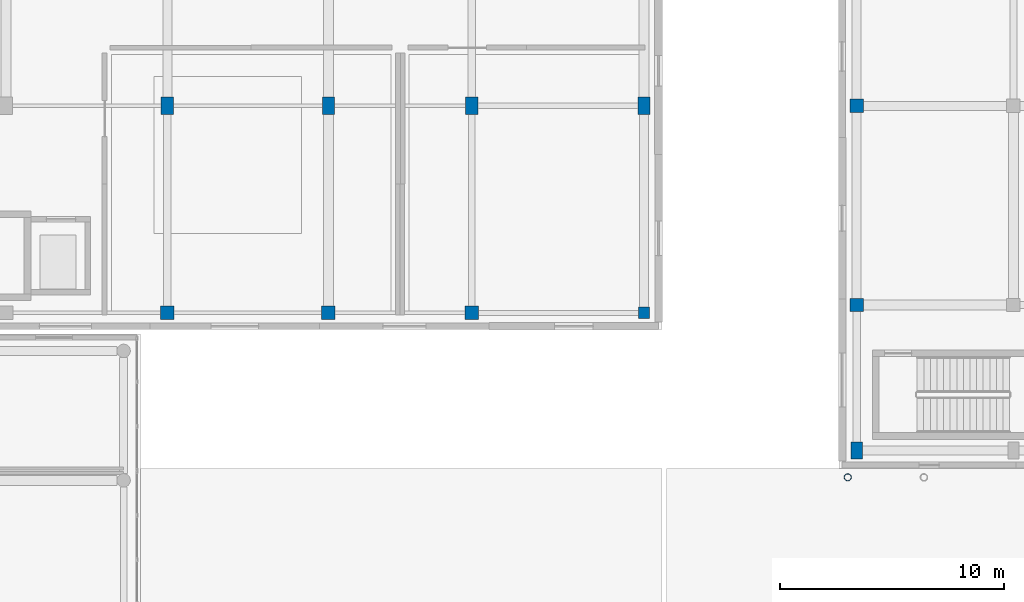
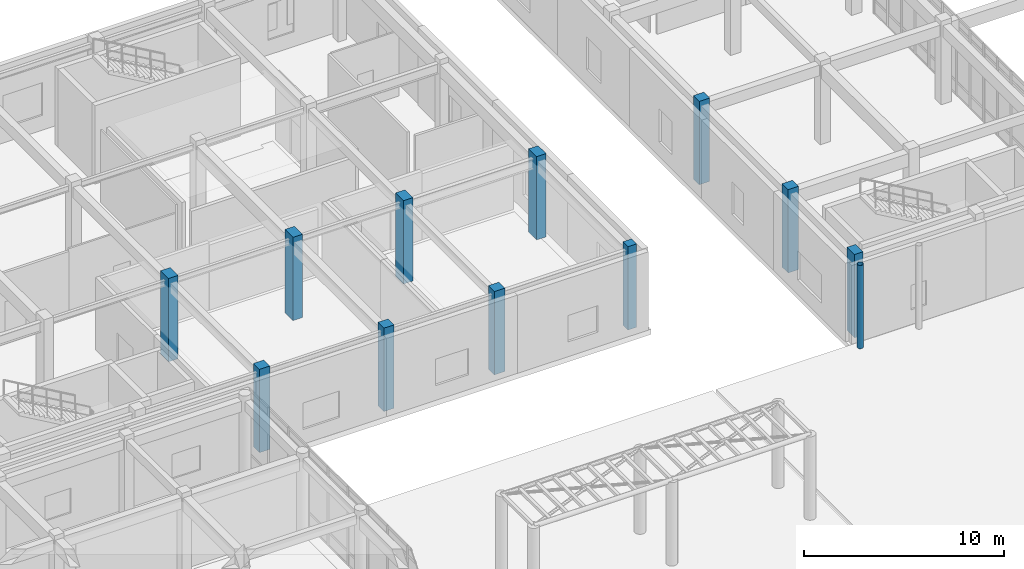
# One storey, part 11 of 121: 12 columns.
"""IFC4 building model written with IfcOpenShell, lengths in metres."""

from ifc_helpers import new_model, si_unit, direction, frame, origin, origin_2d, place, context, subcontext, project, spatial, rectangle, hollow_circle, extrude, material, material_profile, profile_set, type_object, element, save


model = new_model("IFC4")

# Units and contexts
model_context = context("Model", 3, precision=1e-05, world=origin(), true_north=direction((0.0, 1.0)))
body_context = subcontext(model_context, "Body", "Model", "MODEL_VIEW")
ifc_project = project(units=[si_unit("LENGTHUNIT", "METRE"), si_unit("AREAUNIT", "SQUARE_METRE"), si_unit("VOLUMEUNIT", "CUBIC_METRE"), si_unit("PLANEANGLEUNIT", "RADIAN"), si_unit("MASSUNIT", "GRAM", prefix="KILO")], contexts=[model_context])

# Site, building, storey
site_placement = place(None, origin())
site = spatial("IfcSite", under=ifc_project, at=site_placement, CompositionType="ELEMENT")
building_placement = place(site_placement, origin())
building = spatial("IfcBuilding", under=site, at=building_placement, Name="Valcora Specialist Clinic", CompositionType="ELEMENT")
storey_placement = place(building_placement, origin())
storey = spatial("IfcBuildingStorey", under=building, at=storey_placement, Name="L00", CompositionType="ELEMENT", Elevation=0.0)

# Columns
ifc_material_1 = material(Name="Steel ASTM A500 Grade C", Category="steel")
ifc_material_profile_1 = material_profile(ifc_material_1, hollow_circle(Radius=0.162109375, WallThickness=0.011962890625, at=origin_2d()), Name="ST-CHS-324X12")
ifc_profile_set_1 = profile_set([ifc_material_profile_1], Name="Steel ASTM A500 Grade C")
column_type_1 = type_object("IfcColumnType", Name="TY-COL-CHS324", PredefinedType="COLUMN", material=ifc_profile_set_1)
column_1_placement = place(storey_placement, frame((61.60009765625, 73.60009765625, 0.0), z_axis=(0.0, 0.0, 1.0), x_axis=(1.0, 0.0, 0.0)))
element("IfcColumn", 1, at=column_1_placement, inside=storey, type_object=column_type_1, Name="Column COL-L00-0978", PredefinedType="COLUMN", context=body_context, shape_type="SweptSolid", body=[
    extrude(hollow_circle(Radius=0.162109375, WallThickness=0.011962890625, at=origin_2d()), origin(), (0.0, 0.0, 1.0), 5.10009765625),
])
ifc_material_2 = material(Name="Concrete C40/50", Category="concrete")
ifc_material_profile_2 = material_profile(ifc_material_2, rectangle(XDim=0.5, YDim=0.5, at=origin_2d()), Name="RC-COL-500X500")
ifc_profile_set_2 = profile_set([ifc_material_profile_2], Name="Concrete C40/50")
column_type_2 = type_object("IfcColumnType", Name="TY-COL-RC500", PredefinedType="COLUMN", material=ifc_profile_set_2)
column_2_placement = place(storey_placement, frame((52.5, 80.949951171875, 0.0), z_axis=(0.0, 0.0, 1.0), x_axis=(1.0, 0.0, 0.0)))
element("IfcColumn", 2, at=column_2_placement, inside=storey, type_object=column_type_2, Name="Column COL-L00-0238", PredefinedType="COLUMN", context=body_context, shape_type="SweptSolid", body=[
    extrude(rectangle(XDim=0.5, YDim=0.5, at=origin_2d()), origin(), (0.0, 0.0, 1.0), 5.10009765625),
])
ifc_material_profile_3 = material_profile(ifc_material_2, rectangle(XDim=0.5, YDim=0.75, at=origin_2d()), Name="RC-COL-500X750")
ifc_profile_set_3 = profile_set([ifc_material_profile_3], Name="Concrete C40/50")
column_type_3 = type_object("IfcColumnType", Name="TY-COL-RC500X750", PredefinedType="COLUMN", material=ifc_profile_set_3)
column_3_placement = place(storey_placement, frame((62.0, 74.800048828125, 0.0), z_axis=(0.0, 0.0, 1.0), x_axis=(1.0, 0.0, 0.0)))
element("IfcColumn", 3, at=column_3_placement, inside=storey, type_object=column_type_3, Name="Column COL-L00-0302", PredefinedType="COLUMN", context=body_context, shape_type="SweptSolid", body=[
    extrude(rectangle(XDim=0.5, YDim=0.75, at=origin_2d()), origin(), (0.0, 0.0, 1.0), 5.10009765625),
])
ifc_material_profile_4 = material_profile(ifc_material_2, rectangle(XDim=0.550048828125, YDim=0.800048828125, at=origin_2d()), Name="RC-COL-550X800")
ifc_profile_set_4 = profile_set([ifc_material_profile_4], Name="Concrete C40/50")
column_type_4 = type_object("IfcColumnType", Name="TY-COL-RC550X800", PredefinedType="COLUMN", material=ifc_profile_set_4)
for number, where, z_axis, x_axis, name in (
    (4, (31.199951171875, 90.199951171875, 0.0), (0.0, 0.0, 1.0), (1.0, 0.0, 0.0), "Column COL-L00-0194"),
    (5, (38.39990234375, 90.199951171875, 0.0), (0.0, 0.0, 1.0), (1.0, 0.0, 0.0), "Column COL-L00-0210"),
    (6, (44.800048828125, 90.199951171875, 0.0), (0.0, 0.0, 1.0), (1.0, 0.0, 0.0), "Column COL-L00-0226"),
    (7, (52.5, 90.199951171875, 0.0), (0.0, 0.0, 1.0), (1.0, 0.0, 0.0), "Column COL-L00-0241"),
):
    element("IfcColumn", number, at=place(storey_placement, frame(where, z_axis=z_axis, x_axis=x_axis)), inside=storey, type_object=column_type_4, Name=name, PredefinedType="COLUMN", context=body_context, shape_type="SweptSolid", body=[
        extrude(rectangle(XDim=0.550048828125, YDim=0.800048828125, at=origin_2d()), origin(), (0.0, 0.0, 1.0), 5.10009765625),
    ])
ifc_material_profile_5 = material_profile(ifc_material_2, rectangle(XDim=0.60009765625, YDim=0.60009765625, at=origin_2d()), Name="RC-COL-600X600")
ifc_profile_set_5 = profile_set([ifc_material_profile_5], Name="Concrete C40/50")
column_type_5 = type_object("IfcColumnType", Name="TY-COL-RC600", PredefinedType="COLUMN", material=ifc_profile_set_5)
for number, where, z_axis, x_axis, name in (
    (8, (31.199951171875, 80.949951171875, 0.0), (0.0, 0.0, 1.0), (1.0, 0.0, 0.0), "Column COL-L00-0190"),
    (9, (38.39990234375, 80.949951171875, 0.0), (0.0, 0.0, 1.0), (1.0, 0.0, 0.0), "Column COL-L00-0206"),
    (10, (44.800048828125, 80.949951171875, 0.0), (0.0, 0.0, 1.0), (1.0, 0.0, 0.0), "Column COL-L00-0222"),
    (11, (62.0, 81.300048828125, 0.0), (0.0, 0.0, 1.0), (1.0, 0.0, 0.0), "Column COL-L00-0307"),
    (12, (62.0, 90.199951171875, 0.0), (0.0, 0.0, 1.0), (1.0, 0.0, 0.0), "Column COL-L00-0312"),
):
    element("IfcColumn", number, at=place(storey_placement, frame(where, z_axis=z_axis, x_axis=x_axis)), inside=storey, type_object=column_type_5, Name=name, PredefinedType="COLUMN", context=body_context, shape_type="SweptSolid", body=[
        extrude(rectangle(XDim=0.60009765625, YDim=0.60009765625, at=origin_2d()), origin(), (0.0, 0.0, 1.0), 5.10009765625),
    ])

save(model, "model.ifc")
